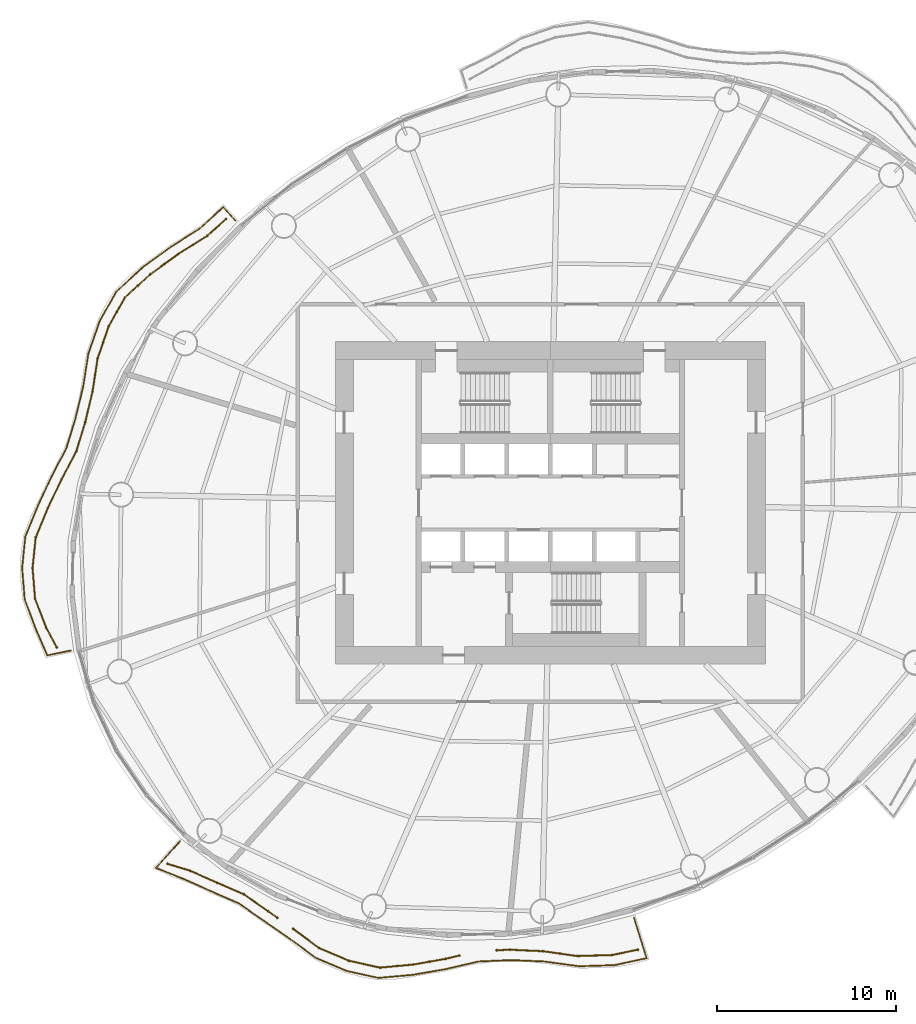
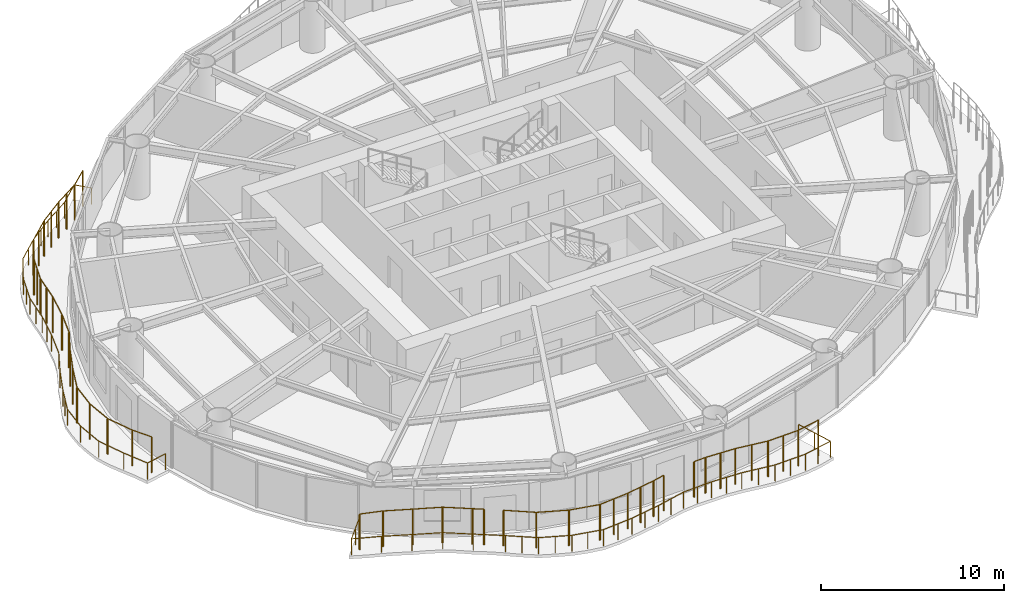
# One storey, part 12 of 15: 6 railings.
"""IFC4 building model written with IfcOpenShell, lengths in metres."""

import ifcopenshell
import ifcopenshell.guid

model = None  # the IFC model being written
_history = None  # IfcOwnerHistory: only IFC2X3 demands one
_inside = {}  # id of a spatial element -> (the spatial element, [elements in it])
_under = {}  # id of a project, library or spatial element -> (it, [spatial elements below it])
_declared = {}  # id of a project -> (the project, [libraries it declares])
_typed = {}  # id of a type object -> (the type object, [elements of that type])
_made_of = {}  # id of a material, layer set ... -> (it, [elements and type objects made of it])


def new_model(schema):
    """Start an empty IFC model of exactly this schema.

    Asked for "IFC4X3", IfcOpenShell would pick the latest addendum, in which some entities
    have other attributes; the version numbers below select the first issue.
    IFC2X3 requires an IfcOwnerHistory on every rooted entity: one is made here for all.
    """
    global model, _history
    if schema == "IFC4X3":
        model = ifcopenshell.file(schema_version=(4, 3, 0, 0))
    else:
        model = ifcopenshell.file(schema=schema)
    _inside.clear()
    _under.clear()
    _declared.clear()
    _typed.clear()
    _made_of.clear()
    _history = None
    if model.schema == "IFC2X3":
        org = make("IfcOrganization", Name="unknown")
        user = make(
            "IfcPersonAndOrganization",
            ThePerson=make("IfcPerson", FamilyName="unknown"),
            TheOrganization=org,
        )
        app = make(
            "IfcApplication",
            ApplicationDeveloper=org,
            Version="unknown",
            ApplicationFullName="unknown",
            ApplicationIdentifier="unknown",
        )
        _history = make(
            "IfcOwnerHistory",
            OwningUser=user,
            OwningApplication=app,
            ChangeAction="ADDED",
            CreationDate=0,
        )
    return model


def make(cls, **values):
    """One entity of the class cls with the attributes given. An attribute that is None is left unset."""
    return model.create_entity(
        cls, **{name: value for name, value in values.items() if value is not None}
    )


def rooted(cls, **values):
    """An entity with a GlobalId (a new one), such as an element, a storey or a relation."""
    return make(cls, GlobalId=ifcopenshell.guid.new(), OwnerHistory=_history, **values)


def si_unit(unit_type, name, prefix=None):
    """IfcSIUnit, for example si_unit("LENGTHUNIT", "METRE", prefix="MILLI")."""
    return make("IfcSIUnit", UnitType=unit_type, Prefix=prefix, Name=name)


def assignment(units):
    """IfcUnitAssignment: the units of a project."""
    return None if units is None else make("IfcUnitAssignment", Units=units)


def point(xyz):
    """IfcCartesianPoint."""
    return None if xyz is None else make("IfcCartesianPoint", Coordinates=xyz)


def direction(xyz):
    """IfcDirection."""
    return None if xyz is None else make("IfcDirection", DirectionRatios=xyz)


def frame(location, z_axis=None, x_axis=None):
    """IfcAxis2Placement3D, a coordinate frame: its origin and axes. An axis left out is left unset."""
    return make(
        "IfcAxis2Placement3D",
        Location=point(location),
        Axis=direction(z_axis),
        RefDirection=direction(x_axis),
    )


def frame_2d(location, x_axis=None):
    """IfcAxis2Placement2D, a coordinate frame in the plane: its origin and x axis."""
    return make(
        "IfcAxis2Placement2D", Location=point(location), RefDirection=direction(x_axis)
    )


def origin():
    """The frame at (0, 0, 0) with its axes left unset."""
    return frame((0.0, 0.0, 0.0))


def origin_2d():
    """The frame at (0, 0) in the plane with its x axis left unset."""
    return frame_2d((0.0, 0.0))


def place(relative_to, where):
    """IfcLocalPlacement: puts the frame where relative to a parent placement (None: the world)."""
    return make(
        "IfcLocalPlacement", PlacementRelTo=relative_to, RelativePlacement=where
    )


def context(
    kind, dimensions, precision=None, world=None, true_north=None, identifier=None
):
    """IfcGeometricRepresentationContext, for example the 3D "Model" context."""
    return make(
        "IfcGeometricRepresentationContext",
        ContextIdentifier=identifier,
        ContextType=kind,
        CoordinateSpaceDimension=dimensions,
        Precision=precision,
        WorldCoordinateSystem=world,
        TrueNorth=true_north,
    )


def subcontext(parent, identifier, kind, view, scale=None):
    """IfcGeometricRepresentationSubContext, for example "Body" below "Model"."""
    return make(
        "IfcGeometricRepresentationSubContext",
        ContextIdentifier=identifier,
        ContextType=kind,
        ParentContext=parent,
        TargetScale=scale,
        TargetView=view,
    )


def project(units=None, contexts=None):
    """IfcProject with its units and contexts."""
    return rooted(
        "IfcProject",
        Name="project",
        RepresentationContexts=contexts,
        UnitsInContext=assignment(units),
    )


def spatial(cls, under=None, at=None, **own):
    """A site, building, storey or space (cls), placed at a placement, below another one or the project."""
    s = rooted(cls, ObjectPlacement=at, **own)
    if under is not None:
        _under.setdefault(under.id(), (under, []))[1].append(s)
    return s


def profile(cls, at=None, kind="AREA", **sizes):
    """A parametric profile (cls). Its sizes go by their IFC names, for example OverallWidth=200.0."""
    return make(cls, ProfileType=kind, Position=at, **sizes)


def circle(**sizes):
    """IfcCircleProfileDef."""
    return profile("IfcCircleProfileDef", **sizes)


def extrude(swept, where, along, depth):
    """IfcExtrudedAreaSolid: the profile swept, set in the frame where, extruded along a direction by depth."""
    return make(
        "IfcExtrudedAreaSolid",
        SweptArea=swept,
        Position=where,
        ExtrudedDirection=direction(along),
        Depth=depth,
    )


def shape(context_of_items, identifier, shape_type, items):
    """IfcShapeRepresentation: the items that make up one representation, for example the "Body"."""
    return make(
        "IfcShapeRepresentation",
        ContextOfItems=context_of_items,
        RepresentationIdentifier=identifier,
        RepresentationType=shape_type,
        Items=items,
    )


def material(Name=None, Category=None):
    """IfcMaterial."""
    return make("IfcMaterial", Name=Name, Category=Category)


def made_of(thing, what):
    """Note that an element or type object is made of a material, layer set ...; save() writes the relation."""
    if what is not None:
        _made_of.setdefault(what.id(), (what, []))[1].append(thing)
    return thing


def type_object(cls, material=None, **own):
    """A type object (cls), such as IfcWallType, which elements share."""
    return made_of(rooted(cls, **own), material)


def element(
    cls,
    number,
    at=None,
    inside=None,
    cuts=None,
    type_object=None,
    material=None,
    context=None,
    identifier="Body",
    shape_type=None,
    held_by="IfcProductDefinitionShape",
    body=None,
    shapes=None,
    **own,
):
    """One element of the class cls, such as IfcWall. Its Tag is "e" and its number.

    at: its placement. inside: the storey or other place that contains it. cuts: it is an
    opening in that element (IfcRelVoidsElement). A single representation is given by context,
    identifier, shape_type and body (its items); several are given by shapes. held_by: the class
    of the entity that holds the representations. save() writes the other relations.
    """
    e = rooted(cls, Tag="e%d" % number, ObjectPlacement=at, **own)
    if body is not None:
        shapes = [shape(context, identifier, shape_type, body)]
    if shapes is not None:
        e.Representation = make(held_by, Representations=shapes)
    if inside is not None:
        _inside.setdefault(inside.id(), (inside, []))[1].append(e)
    if cuts is not None:
        rooted(
            "IfcRelVoidsElement", RelatingBuildingElement=cuts, RelatedOpeningElement=e
        )
    if type_object is not None:
        _typed.setdefault(type_object.id(), (type_object, []))[1].append(e)
    return made_of(e, material)


def aggregate(whole, parts):
    """IfcRelAggregates: a whole, such as a stair, and the parts it consists of."""
    return rooted("IfcRelAggregates", RelatingObject=whole, RelatedObjects=parts)


def save(model, path):
    """Write the relations noted so far, then the file.

    IfcRelAggregates (storeys below a building ...), IfcRelContainedInSpatialStructure (elements
    in a storey), IfcRelDefinesByType, IfcRelAssociatesMaterial and IfcRelDeclares: one each for
    every whole, place, type object, material and project.
    """
    for whole, parts in _under.values():
        aggregate(whole, parts)
    for where, things in _inside.values():
        rooted(
            "IfcRelContainedInSpatialStructure",
            RelatedElements=things,
            RelatingStructure=where,
        )
    for kind, things in _typed.values():
        rooted("IfcRelDefinesByType", RelatedObjects=things, RelatingType=kind)
    for what, things in _made_of.values():
        rooted("IfcRelAssociatesMaterial", RelatedObjects=things, RelatingMaterial=what)
    for by, libraries in _declared.values():
        rooted("IfcRelDeclares", RelatingContext=by, RelatedDefinitions=libraries)
    model.write(path)


model = new_model("IFC4")

# Units and contexts
model_context = context("Model", 3, precision=1e-05, world=origin(), true_north=direction((0.0, 1.0)))
body_context = subcontext(model_context, "Body", "Model", "MODEL_VIEW")
ifc_project = project(units=[si_unit("LENGTHUNIT", "METRE"), si_unit("AREAUNIT", "SQUARE_METRE"), si_unit("VOLUMEUNIT", "CUBIC_METRE"), si_unit("PLANEANGLEUNIT", "RADIAN"), si_unit("MASSUNIT", "GRAM", prefix="KILO")], contexts=[model_context])

# Site, building, storey
site_placement = place(None, origin())
site = spatial("IfcSite", under=ifc_project, at=site_placement, CompositionType="ELEMENT")
building_placement = place(site_placement, origin())
building = spatial("IfcBuilding", under=site, at=building_placement, Name="Vermilion Reach Broadcast Tower", CompositionType="ELEMENT")
storey_placement = place(building_placement, frame((0.0, 0.0, 154.199951171875)))
storey = spatial("IfcBuildingStorey", under=building, at=storey_placement, Name="L36", CompositionType="ELEMENT", Elevation=154.199951171875)

# Railings
ifc_material_1 = material(Name="Terracotta baguette", Category="masonry")
railing_type_1 = type_object("IfcRailingType", Name="BAGUETTE SCREEN", PredefinedType="USERDEFINED", material=ifc_material_1)
railing_1_placement = place(storey_placement, frame((-24.10595703125, 15.849365234375, 0.0)))
element("IfcRailing", 1, at=railing_1_placement, inside=storey, type_object=railing_type_1, Name="Baguette screen L36 group 2", ObjectType="BAGUETTE SCREEN", PredefinedType="USERDEFINED", context=body_context, shape_type="SweptSolid", body=[
    extrude(circle(Radius=0.030029296875, at=origin_2d()), frame((0.0, 0.0, 2.369873046875), z_axis=(-0.74429356056, -0.667852600286, 0.0), x_axis=(0.667852600286, -0.74429356056, 0.0)), (0.0, 0.0, 1.0), 1.395751953125),
    extrude(circle(Radius=0.030029296875, at=origin_2d()), frame((-1.038818359375, -0.93212890625, 2.369873046875), z_axis=(-0.84687005388, -0.531799879504, 0.0), x_axis=(0.531799879504, -0.84687005388, 0.0)), (0.0, 0.0, 1.0), 1.924072265625),
    extrude(circle(Radius=0.030029296875, at=origin_2d()), frame((-2.668212890625, -1.955322265625, 2.369873046875), z_axis=(-0.809731431405, -0.586800655243, 0.0), x_axis=(0.586800655243, -0.809731431405, 0.0)), (0.0, 0.0, 1.0), 1.91748046875),
    extrude(circle(Radius=0.030029296875, at=origin_2d()), frame((-4.220947265625, -3.08056640625, 2.369873046875), z_axis=(-0.73923849201, -0.673443725883, 0.0), x_axis=(0.673443725883, -0.73923849201, 0.0)), (0.0, 0.0, 1.0), 1.922119140625),
    extrude(circle(Radius=0.030029296875, at=origin_2d()), frame((-5.641845703125, -4.375, 2.369873046875), z_axis=(-0.489302066594, -0.872114377606, 0.0), x_axis=(0.872114377606, -0.489302066594, 0.0)), (0.0, 0.0, 1.0), 1.861572265625),
    extrude(circle(Radius=0.030029296875, at=origin_2d()), frame((-6.552734375, -5.99853515625, 2.369873046875), z_axis=(-0.326334698459, -0.945254285672, 0.0), x_axis=(0.945254285672, -0.326334698459, 0.0)), (0.0, 0.0, 1.0), 1.880859375),
    extrude(circle(Radius=0.030029296875, at=origin_2d()), frame((-7.16650390625, -7.7763671875, 2.369873046875), z_axis=(-0.151506596096, -0.988456246548, 0.0), x_axis=(0.988456246548, -0.151506596096, 0.0)), (0.0, 0.0, 1.0), 1.865966796875),
    extrude(circle(Radius=0.030029296875, at=origin_2d()), frame((-7.44921875, -9.620849609375, 2.369873046875), z_axis=(-0.231991678279, -0.972717770584, 0.0), x_axis=(0.972717770584, -0.231991678279, 0.0)), (0.0, 0.0, 1.0), 1.778564453125),
    extrude(circle(Radius=0.030029296875, at=origin_2d()), frame((-7.86181640625, -11.350830078125, 2.369873046875), z_axis=(-0.292371609919, -0.956304784947, 0.0), x_axis=(0.956304784947, -0.292371609919, 0.0)), (0.0, 0.0, 1.0), 1.701904296875),
    extrude(circle(Radius=0.030029296875, at=origin_2d()), frame((-8.359375, -12.978271484375, 2.369873046875), z_axis=(-0.468979112999, -0.883209256955, 0.0), x_axis=(0.883209256955, -0.468979112999, 0.0)), (0.0, 0.0, 1.0), 1.7568359375),
    extrude(circle(Radius=0.030029296875, at=origin_2d()), frame((-9.183349609375, -14.530029296875, 2.369873046875), z_axis=(-0.427402426809, -0.904061483284, 0.0), x_axis=(0.904061483284, -0.427402426809, 0.0)), (0.0, 0.0, 1.0), 1.749755859375),
    extrude(circle(Radius=0.030029296875, at=origin_2d()), frame((-9.93115234375, -16.11181640625, 2.369873046875), z_axis=(-0.384470681868, -0.923137202578, 0.0), x_axis=(0.923137202578, -0.384470681868, 0.0)), (0.0, 0.0, 1.0), 1.797119140625),
    extrude(circle(Radius=0.030029296875, at=origin_2d()), frame((-10.6220703125, -17.770751953125, 2.369873046875), z_axis=(-0.103166165689, -0.994664135403, 0.0), x_axis=(0.994664135403, -0.103166165689, 0.0)), (0.0, 0.0, 1.0), 1.715576171875),
    extrude(circle(Radius=0.030029296875, at=origin_2d()), frame((-10.799072265625, -19.477294921875, 2.369873046875), z_axis=(0.080640821188, -0.99674322569, 0.0), x_axis=(0.99674322569, 0.080640821188, 0.0)), (0.0, 0.0, 1.0), 1.72265625),
    extrude(circle(Radius=0.030029296875, at=origin_2d()), frame((-10.66015625, -21.1943359375, 2.369873046875), z_axis=(0.357427234789, -0.93394098948, 0.0), x_axis=(0.93394098948, 0.357427234789, 0.0)), (0.0, 0.0, 1.0), 1.7294921875),
    extrude(circle(Radius=0.030029296875, at=origin_2d()), frame((-10.0419921875, -22.8095703125, 2.369873046875), z_axis=(0.477555793427, -0.878601425087, 0.0), x_axis=(0.878601425087, 0.477555793427, 0.0)), (0.0, 0.0, 1.0), 1.254150390625),
    extrude(circle(Radius=0.050048828125, at=origin_2d()), origin(), (0.0, 0.0, 1.0), 2.33984375),
    extrude(circle(Radius=0.050048828125, at=origin_2d()), frame((-1.038818359375, -0.93212890625, 0.0)), (0.0, 0.0, 1.0), 2.33984375),
    extrude(circle(Radius=0.050048828125, at=origin_2d()), frame((-1.853515625, -1.44384765625, 0.0)), (0.0, 0.0, 1.0), 2.33984375),
    extrude(circle(Radius=0.050048828125, at=origin_2d()), frame((-2.668212890625, -1.955322265625, 0.0)), (0.0, 0.0, 1.0), 2.33984375),
    extrude(circle(Radius=0.050048828125, at=origin_2d()), frame((-3.444580078125, -2.51806640625, 0.0)), (0.0, 0.0, 1.0), 2.33984375),
    extrude(circle(Radius=0.050048828125, at=origin_2d()), frame((-4.220947265625, -3.08056640625, 0.0)), (0.0, 0.0, 1.0), 2.33984375),
    extrude(circle(Radius=0.050048828125, at=origin_2d()), frame((-4.931396484375, -3.727783203125, 0.0)), (0.0, 0.0, 1.0), 2.33984375),
    extrude(circle(Radius=0.050048828125, at=origin_2d()), frame((-5.641845703125, -4.375, 0.0)), (0.0, 0.0, 1.0), 2.33984375),
    extrude(circle(Radius=0.050048828125, at=origin_2d()), frame((-6.09716796875, -5.186767578125, 0.0)), (0.0, 0.0, 1.0), 2.33984375),
    extrude(circle(Radius=0.050048828125, at=origin_2d()), frame((-6.552734375, -5.99853515625, 0.0)), (0.0, 0.0, 1.0), 2.33984375),
    extrude(circle(Radius=0.050048828125, at=origin_2d()), frame((-6.859619140625, -6.887451171875, 0.0)), (0.0, 0.0, 1.0), 2.33984375),
    extrude(circle(Radius=0.050048828125, at=origin_2d()), frame((-7.16650390625, -7.7763671875, 0.0)), (0.0, 0.0, 1.0), 2.33984375),
    extrude(circle(Radius=0.050048828125, at=origin_2d()), frame((-7.307861328125, -8.69873046875, 0.0)), (0.0, 0.0, 1.0), 2.33984375),
    extrude(circle(Radius=0.050048828125, at=origin_2d()), frame((-7.44921875, -9.620849609375, 0.0)), (0.0, 0.0, 1.0), 2.33984375),
    extrude(circle(Radius=0.050048828125, at=origin_2d()), frame((-7.86181640625, -11.350830078125, 0.0)), (0.0, 0.0, 1.0), 2.33984375),
    extrude(circle(Radius=0.050048828125, at=origin_2d()), frame((-8.359375, -12.978271484375, 0.0)), (0.0, 0.0, 1.0), 2.33984375),
    extrude(circle(Radius=0.050048828125, at=origin_2d()), frame((-9.183349609375, -14.530029296875, 0.0)), (0.0, 0.0, 1.0), 2.33984375),
    extrude(circle(Radius=0.050048828125, at=origin_2d()), frame((-9.93115234375, -16.11181640625, 0.0)), (0.0, 0.0, 1.0), 2.33984375),
    extrude(circle(Radius=0.050048828125, at=origin_2d()), frame((-10.6220703125, -17.770751953125, 0.0)), (0.0, 0.0, 1.0), 2.33984375),
    extrude(circle(Radius=0.050048828125, at=origin_2d()), frame((-10.799072265625, -19.477294921875, 0.0)), (0.0, 0.0, 1.0), 2.33984375),
    extrude(circle(Radius=0.050048828125, at=origin_2d()), frame((-10.66015625, -21.1943359375, 0.0)), (0.0, 0.0, 1.0), 2.33984375),
    extrude(circle(Radius=0.050048828125, at=origin_2d()), frame((-10.0419921875, -22.8095703125, 0.0)), (0.0, 0.0, 1.0), 2.33984375),
    extrude(circle(Radius=0.050048828125, at=origin_2d()), frame((-9.443115234375, -23.911376953125, 0.0)), (0.0, 0.0, 1.0), 2.33984375),
])
railing_2_placement = place(storey_placement, frame((-27.36669921875, -20.14404296875, 0.0)))
element("IfcRailing", 2, at=railing_2_placement, inside=storey, type_object=railing_type_1, Name="Baguette screen L36 group 3 part 1", ObjectType="BAGUETTE SCREEN", PredefinedType="USERDEFINED", context=body_context, shape_type="SweptSolid", body=[
    extrude(circle(Radius=0.030029296875, at=origin_2d()), frame((0.0, 0.0, 2.369873046875), z_axis=(0.956355930355, -0.292204268406, 0.0), x_axis=(0.292204268406, 0.956355930355, 0.0)), (0.0, 0.0, 1.0), 1.30419921875),
    extrude(circle(Radius=0.030029296875, at=origin_2d()), frame((1.247314453125, -0.381103515625, 2.369873046875), z_axis=(0.914402615664, -0.404805949149, 0.0), x_axis=(0.404805949149, 0.914402615664, 0.0)), (0.0, 0.0, 1.0), 1.6494140625),
    extrude(circle(Radius=0.030029296875, at=origin_2d()), frame((2.755615234375, -1.048828125, 2.369873046875), z_axis=(0.91673645574, -0.399492516473, 0.0), x_axis=(0.399492516473, 0.91673645574, 0.0)), (0.0, 0.0, 1.0), 1.64208984375),
    extrude(circle(Radius=0.030029296875, at=origin_2d()), frame((4.260986328125, -1.704833984375, 2.369873046875), z_axis=(0.820467999085, -0.571692454452, 0.0), x_axis=(0.571692454452, 0.820467999085, 0.0)), (0.0, 0.0, 1.0), 1.639892578125),
    extrude(circle(Radius=0.030029296875, at=origin_2d()), frame((5.6064453125, -2.642333984375, 2.369873046875), z_axis=(0.818569260864, -0.574407838708, 0.0), x_axis=(0.574407838708, 0.818569260864, 0.0)), (0.0, 0.0, 1.0), 0.640869140625),
    extrude(circle(Radius=0.050048828125, at=origin_2d()), origin(), (0.0, 0.0, 1.0), 2.33984375),
    extrude(circle(Radius=0.050048828125, at=origin_2d()), frame((1.247314453125, -0.381103515625, 0.0)), (0.0, 0.0, 1.0), 2.33984375),
    extrude(circle(Radius=0.050048828125, at=origin_2d()), frame((2.755615234375, -1.048828125, 0.0)), (0.0, 0.0, 1.0), 2.33984375),
    extrude(circle(Radius=0.050048828125, at=origin_2d()), frame((4.260986328125, -1.704833984375, 0.0)), (0.0, 0.0, 1.0), 2.33984375),
    extrude(circle(Radius=0.050048828125, at=origin_2d()), frame((5.6064453125, -2.642333984375, 0.0)), (0.0, 0.0, 1.0), 2.33984375),
    extrude(circle(Radius=0.050048828125, at=origin_2d()), frame((6.131103515625, -3.010498046875, 0.0)), (0.0, 0.0, 1.0), 2.33984375),
])
railing_3_placement = place(storey_placement, frame((-20.3623046875, -23.767578125, 0.0)))
element("IfcRailing", 3, at=railing_3_placement, inside=storey, type_object=railing_type_1, Name="Baguette screen L36 group 3 part 2", ObjectType="BAGUETTE SCREEN", PredefinedType="USERDEFINED", context=body_context, shape_type="SweptSolid", body=[
    extrude(circle(Radius=0.030029296875, at=origin_2d()), frame((0.0, 0.0, 2.369873046875), z_axis=(0.821588113591, -0.570081548206, 0.0), x_axis=(0.570081548206, 0.821588113591, 0.0)), (0.0, 0.0, 1.0), 0.0146484375),
    extrude(circle(Radius=0.030029296875, at=origin_2d()), frame((0.011962890625, -0.00830078125, 2.369873046875), z_axis=(0.803771636703, -0.59493794301, 0.0), x_axis=(0.59493794301, 0.803771636703, 0.0)), (0.0, 0.0, 1.0), 1.79443359375),
    extrude(circle(Radius=0.030029296875, at=origin_2d()), frame((1.454345703125, -1.075927734375, 2.369873046875), z_axis=(0.919299387982, -0.39355893492, 0.0), x_axis=(0.39355893492, 0.919299387982, 0.0)), (0.0, 0.0, 1.0), 1.799072265625),
    extrude(circle(Radius=0.030029296875, at=origin_2d()), frame((3.108154296875, -1.783935546875, 2.369873046875), z_axis=(0.976193495523, -0.216901496764, 0.0), x_axis=(0.216901496764, 0.976193495523, 0.0)), (0.0, 0.0, 1.0), 1.78515625),
    extrude(circle(Radius=0.030029296875, at=origin_2d()), frame((4.850830078125, -2.171142578125, 2.369873046875), z_axis=(0.995787312258, 0.091693122676, 0.0), x_axis=(-0.091693122676, 0.995787312258, 0.0)), (0.0, 0.0, 1.0), 1.86376953125),
    extrude(circle(Radius=0.030029296875, at=origin_2d()), frame((6.706787109375, -2.000244140625, 2.369873046875), z_axis=(0.984600074333, 0.174821891145, 0.0), x_axis=(-0.174821891145, 0.984600074333, 0.0)), (0.0, 0.0, 1.0), 1.840576171875),
    extrude(circle(Radius=0.030029296875, at=origin_2d()), frame((8.51904296875, -1.678466796875, 2.369873046875), z_axis=(0.972900390077, 0.231224633179, 0.0), x_axis=(-0.231224633179, 0.972900390077, 0.0)), (0.0, 0.0, 1.0), 0.778076171875),
    extrude(circle(Radius=0.050048828125, at=origin_2d()), origin(), (0.0, 0.0, 1.0), 2.33984375),
    extrude(circle(Radius=0.050048828125, at=origin_2d()), frame((0.011962890625, -0.00830078125, 0.0)), (0.0, 0.0, 1.0), 2.33984375),
    extrude(circle(Radius=0.050048828125, at=origin_2d()), frame((1.454345703125, -1.075927734375, 0.0)), (0.0, 0.0, 1.0), 2.33984375),
    extrude(circle(Radius=0.050048828125, at=origin_2d()), frame((3.108154296875, -1.783935546875, 0.0)), (0.0, 0.0, 1.0), 2.33984375),
    extrude(circle(Radius=0.050048828125, at=origin_2d()), frame((4.850830078125, -2.171142578125, 0.0)), (0.0, 0.0, 1.0), 2.33984375),
    extrude(circle(Radius=0.050048828125, at=origin_2d()), frame((5.77880859375, -2.085693359375, 0.0)), (0.0, 0.0, 1.0), 2.33984375),
    extrude(circle(Radius=0.050048828125, at=origin_2d()), frame((6.706787109375, -2.000244140625, 0.0)), (0.0, 0.0, 1.0), 2.33984375),
    extrude(circle(Radius=0.050048828125, at=origin_2d()), frame((7.61279296875, -1.83935546875, 0.0)), (0.0, 0.0, 1.0), 2.33984375),
    extrude(circle(Radius=0.050048828125, at=origin_2d()), frame((8.51904296875, -1.678466796875, 0.0)), (0.0, 0.0, 1.0), 2.33984375),
    extrude(circle(Radius=0.050048828125, at=origin_2d()), frame((9.276123046875, -1.49853515625, 0.0)), (0.0, 0.0, 1.0), 2.33984375),
])
railing_4_placement = place(storey_placement, frame((-8.991455078125, -24.97021484375, 0.0)))
element("IfcRailing", 4, at=railing_4_placement, inside=storey, type_object=railing_type_1, Name="Baguette screen L36 group 3 part 3", ObjectType="BAGUETTE SCREEN", PredefinedType="USERDEFINED", context=body_context, shape_type="SweptSolid", body=[
    extrude(circle(Radius=0.030029296875, at=origin_2d()), frame((0.0, 0.0, 2.369873046875), z_axis=(0.998983629938, 0.045074461912, 0.0), x_axis=(-0.045074461912, 0.998983629938, 0.0)), (0.0, 0.0, 1.0), 0.731201171875),
    extrude(circle(Radius=0.030029296875, at=origin_2d()), frame((0.73046875, 0.032958984375, 2.369873046875), z_axis=(0.998995613325, -0.044808085858, 0.0), x_axis=(0.044808085858, 0.998995613325, 0.0)), (0.0, 0.0, 1.0), 1.84716796875),
    extrude(circle(Radius=0.030029296875, at=origin_2d()), frame((2.57568359375, -0.0498046875, 2.369873046875), z_axis=(0.990100126676, -0.140362883828, 0.0), x_axis=(0.140362883828, 0.990100126676, 0.0)), (0.0, 0.0, 1.0), 1.937744140625),
    extrude(circle(Radius=0.030029296875, at=origin_2d()), frame((4.494140625, -0.32177734375, 2.369873046875), z_axis=(0.999591675665, 0.02857414814, 0.0), x_axis=(-0.02857414814, 0.999591675665, 0.0)), (0.0, 0.0, 1.0), 1.939453125),
    extrude(circle(Radius=0.030029296875, at=origin_2d()), frame((6.432861328125, -0.266357421875, 2.369873046875), z_axis=(0.978809997674, 0.204770575163, 0.0), x_axis=(-0.204770575163, 0.978809997674, 0.0)), (0.0, 0.0, 1.0), 1.46875),
    extrude(circle(Radius=0.050048828125, at=origin_2d()), origin(), (0.0, 0.0, 1.0), 2.33984375),
    extrude(circle(Radius=0.050048828125, at=origin_2d()), frame((0.73046875, 0.032958984375, 0.0)), (0.0, 0.0, 1.0), 2.33984375),
    extrude(circle(Radius=0.050048828125, at=origin_2d()), frame((1.653076171875, -0.00830078125, 0.0)), (0.0, 0.0, 1.0), 2.33984375),
    extrude(circle(Radius=0.050048828125, at=origin_2d()), frame((2.57568359375, -0.0498046875, 0.0)), (0.0, 0.0, 1.0), 2.33984375),
    extrude(circle(Radius=0.050048828125, at=origin_2d()), frame((3.534912109375, -0.185791015625, 0.0)), (0.0, 0.0, 1.0), 2.33984375),
    extrude(circle(Radius=0.050048828125, at=origin_2d()), frame((4.494140625, -0.32177734375, 0.0)), (0.0, 0.0, 1.0), 2.33984375),
    extrude(circle(Radius=0.050048828125, at=origin_2d()), frame((5.46337890625, -0.2939453125, 0.0)), (0.0, 0.0, 1.0), 2.33984375),
    extrude(circle(Radius=0.050048828125, at=origin_2d()), frame((6.432861328125, -0.266357421875, 0.0)), (0.0, 0.0, 1.0), 2.33984375),
    extrude(circle(Radius=0.050048828125, at=origin_2d()), frame((7.87060546875, 0.034423828125, 0.0)), (0.0, 0.0, 1.0), 2.33984375),
])
ifc_material_2 = material(Name="Stainless steel 316 balustrade", Category="steel")
railing_type_2 = type_object("IfcRailingType", Name="Balcony guard 1100", PredefinedType="BALUSTRADE", material=ifc_material_2)
railing_5_placement = place(storey_placement, frame((-23.5908203125, 15.771240234375, 0.0)))
element("IfcRailing", 5, at=railing_5_placement, inside=storey, type_object=railing_type_2, Name="Balcony guard L36 group 2", PredefinedType="BALUSTRADE", context=body_context, shape_type="SweptSolid", body=[
    extrude(circle(Radius=0.02490234375, at=origin_2d()), frame((0.0, 0.0, 1.0751953125), z_axis=(-0.671143011647, 0.741327901753, 0.0), x_axis=(-0.741327901753, -0.671143011647, 0.0)), (0.0, 0.0, 1.0), 1.001708984375),
    extrude(circle(Radius=0.02490234375, at=origin_2d()), frame((-0.67236328125, 0.74267578125, 1.0751953125), z_axis=(-0.736415449668, -0.676529589516, 0.0), x_axis=(0.676529589516, -0.736415449668, 0.0)), (0.0, 0.0, 1.0), 1.757080078125),
    extrude(circle(Radius=0.02490234375, at=origin_2d()), frame((-1.96630859375, -0.446044921875, 1.0751953125), z_axis=(-0.844657271595, -0.535307475702, 0.0), x_axis=(0.535307475702, -0.844657271595, 0.0)), (0.0, 0.0, 1.0), 1.95556640625),
    extrude(circle(Radius=0.02490234375, at=origin_2d()), frame((-3.6181640625, -1.492919921875, 1.0751953125), z_axis=(-0.807260292588, -0.590195577762, 0.0), x_axis=(0.590195577762, -0.807260292588, 0.0)), (0.0, 0.0, 1.0), 1.94921875),
    extrude(circle(Radius=0.02490234375, at=origin_2d()), frame((-5.191650390625, -2.643310546875, 1.0751953125), z_axis=(-0.736915684994, -0.67598466936, 0.0), x_axis=(0.67598466936, -0.736915684994, 0.0)), (0.0, 0.0, 1.0), 1.955322265625),
    extrude(circle(Radius=0.02490234375, at=origin_2d()), frame((-6.632568359375, -3.965087890625, 1.0751953125), z_axis=(-0.490469139689, -0.871458560697, 0.0), x_axis=(0.871458560697, -0.490469139689, 0.0)), (0.0, 0.0, 1.0), 1.8955078125),
    extrude(circle(Radius=0.02490234375, at=origin_2d()), frame((-7.562255859375, -5.616943359375, 1.0751953125), z_axis=(-0.32957825148, -0.944128262553, 0.0), x_axis=(0.944128262553, -0.32957825148, 0.0)), (0.0, 0.0, 1.0), 1.91552734375),
    extrude(circle(Radius=0.02490234375, at=origin_2d()), frame((-8.193603515625, -7.425537109375, 1.0751953125), z_axis=(-0.157038137011, -0.987592539221, 0.0), x_axis=(0.987592539221, -0.157038137011, 0.0)), (0.0, 0.0, 1.0), 1.89990234375),
    extrude(circle(Radius=0.02490234375, at=origin_2d()), frame((-8.491943359375, -9.3017578125, 1.0751953125), z_axis=(-0.235218939664, -0.971942411063, 0.0), x_axis=(0.971942411063, -0.235218939664, 0.0)), (0.0, 0.0, 1.0), 1.8154296875),
    extrude(circle(Radius=0.02490234375, at=origin_2d()), frame((-8.9189453125, -11.066162109375, 1.0751953125), z_axis=(-0.293138627193, -0.956069947884, 0.0), x_axis=(0.956069947884, -0.293138627193, 0.0)), (0.0, 0.0, 1.0), 1.739013671875),
    extrude(circle(Radius=0.02490234375, at=origin_2d()), frame((-9.4287109375, -12.728759765625, 1.0751953125), z_axis=(-0.464591325775, -0.885525211394, 0.0), x_axis=(0.885525211394, -0.464591325775, 0.0)), (0.0, 0.0, 1.0), 1.795166015625),
    extrude(circle(Radius=0.02490234375, at=origin_2d()), frame((-10.2626953125, -14.318359375, 1.0751953125), z_axis=(-0.422743433365, -0.906249408025, 0.0), x_axis=(0.906249408025, -0.422743433365, 0.0)), (0.0, 0.0, 1.0), 1.7880859375),
    extrude(circle(Radius=0.02490234375, at=origin_2d()), frame((-11.0185546875, -15.938720703125, 1.0751953125), z_axis=(-0.37907789582, -0.925364765323, 0.0), x_axis=(0.925364765323, -0.37907789582, 0.0)), (0.0, 0.0, 1.0), 1.8369140625),
    extrude(circle(Radius=0.02490234375, at=origin_2d()), frame((-11.71484375, -17.638427734375, 1.0751953125), z_axis=(-0.101993606626, -0.994785054274, 0.0), x_axis=(0.994785054274, -0.101993606626, 0.0)), (0.0, 0.0, 1.0), 1.757080078125),
    extrude(circle(Radius=0.02490234375, at=origin_2d()), frame((-11.89404296875, -19.38623046875, 1.0751953125), z_axis=(0.079085768428, -0.996867815326, 0.0), x_axis=(0.996867815326, 0.079085768428, 0.0)), (0.0, 0.0, 1.0), 1.765869140625),
    extrude(circle(Radius=0.02490234375, at=origin_2d()), frame((-11.75439453125, -21.146484375, 1.0751953125), z_axis=(0.351244294316, -0.9362838489, 0.0), x_axis=(0.9362838489, 0.351244294316, 0.0)), (0.0, 0.0, 1.0), 1.77099609375),
    extrude(circle(Radius=0.02490234375, at=origin_2d()), frame((-11.13232421875, -22.8046875, 1.0751953125), z_axis=(0.402433585192, -0.915449184559, 0.0), x_axis=(0.915449184559, 0.402433585192, 0.0)), (0.0, 0.0, 1.0), 1.609375),
    extrude(circle(Radius=0.02490234375, at=origin_2d()), frame((-10.484619140625, -24.278076171875, 1.0751953125), z_axis=(0.979249206434, 0.202659793001, 0.0), x_axis=(-0.202659793001, 0.979249206434, 0.0)), (0.0, 0.0, 1.0), 1.3408203125),
    extrude(circle(Radius=0.02490234375, at=origin_2d()), origin(), (0.0, 0.0, 1.0), 1.050048828125),
    extrude(circle(Radius=0.02490234375, at=origin_2d()), frame((-0.67236328125, 0.74267578125, 0.0)), (0.0, 0.0, 1.0), 1.050048828125),
    extrude(circle(Radius=0.02490234375, at=origin_2d()), frame((-1.96630859375, -0.446044921875, 0.0)), (0.0, 0.0, 1.0), 1.050048828125),
    extrude(circle(Radius=0.02490234375, at=origin_2d()), frame((-2.792236328125, -0.969482421875, 0.0)), (0.0, 0.0, 1.0), 1.050048828125),
    extrude(circle(Radius=0.02490234375, at=origin_2d()), frame((-3.6181640625, -1.492919921875, 0.0)), (0.0, 0.0, 1.0), 1.050048828125),
    extrude(circle(Radius=0.02490234375, at=origin_2d()), frame((-4.40478515625, -2.068115234375, 0.0)), (0.0, 0.0, 1.0), 1.050048828125),
    extrude(circle(Radius=0.02490234375, at=origin_2d()), frame((-5.191650390625, -2.643310546875, 0.0)), (0.0, 0.0, 1.0), 1.050048828125),
    extrude(circle(Radius=0.02490234375, at=origin_2d()), frame((-5.912109375, -3.30419921875, 0.0)), (0.0, 0.0, 1.0), 1.050048828125),
    extrude(circle(Radius=0.02490234375, at=origin_2d()), frame((-6.632568359375, -3.965087890625, 0.0)), (0.0, 0.0, 1.0), 1.050048828125),
    extrude(circle(Radius=0.02490234375, at=origin_2d()), frame((-7.097412109375, -4.791015625, 0.0)), (0.0, 0.0, 1.0), 1.050048828125),
    extrude(circle(Radius=0.02490234375, at=origin_2d()), frame((-7.562255859375, -5.616943359375, 0.0)), (0.0, 0.0, 1.0), 1.050048828125),
    extrude(circle(Radius=0.02490234375, at=origin_2d()), frame((-7.8779296875, -6.521240234375, 0.0)), (0.0, 0.0, 1.0), 1.050048828125),
    extrude(circle(Radius=0.02490234375, at=origin_2d()), frame((-8.193603515625, -7.425537109375, 0.0)), (0.0, 0.0, 1.0), 1.050048828125),
    extrude(circle(Radius=0.02490234375, at=origin_2d()), frame((-8.3427734375, -8.36376953125, 0.0)), (0.0, 0.0, 1.0), 1.050048828125),
    extrude(circle(Radius=0.02490234375, at=origin_2d()), frame((-8.491943359375, -9.3017578125, 0.0)), (0.0, 0.0, 1.0), 1.050048828125),
    extrude(circle(Radius=0.02490234375, at=origin_2d()), frame((-8.70556640625, -10.18408203125, 0.0)), (0.0, 0.0, 1.0), 1.050048828125),
    extrude(circle(Radius=0.02490234375, at=origin_2d()), frame((-8.9189453125, -11.066162109375, 0.0)), (0.0, 0.0, 1.0), 1.050048828125),
    extrude(circle(Radius=0.02490234375, at=origin_2d()), frame((-9.4287109375, -12.728759765625, 0.0)), (0.0, 0.0, 1.0), 1.050048828125),
    extrude(circle(Radius=0.02490234375, at=origin_2d()), frame((-10.2626953125, -14.318359375, 0.0)), (0.0, 0.0, 1.0), 1.050048828125),
    extrude(circle(Radius=0.02490234375, at=origin_2d()), frame((-11.0185546875, -15.938720703125, 0.0)), (0.0, 0.0, 1.0), 1.050048828125),
    extrude(circle(Radius=0.02490234375, at=origin_2d()), frame((-11.36669921875, -16.78857421875, 0.0)), (0.0, 0.0, 1.0), 1.050048828125),
    extrude(circle(Radius=0.02490234375, at=origin_2d()), frame((-11.71484375, -17.638427734375, 0.0)), (0.0, 0.0, 1.0), 1.050048828125),
    extrude(circle(Radius=0.02490234375, at=origin_2d()), frame((-11.89404296875, -19.38623046875, 0.0)), (0.0, 0.0, 1.0), 1.050048828125),
    extrude(circle(Radius=0.02490234375, at=origin_2d()), frame((-11.75439453125, -21.146484375, 0.0)), (0.0, 0.0, 1.0), 1.050048828125),
    extrude(circle(Radius=0.02490234375, at=origin_2d()), frame((-11.13232421875, -22.8046875, 0.0)), (0.0, 0.0, 1.0), 1.050048828125),
    extrude(circle(Radius=0.02490234375, at=origin_2d()), frame((-10.484619140625, -24.278076171875, 0.0)), (0.0, 0.0, 1.0), 1.050048828125),
    extrude(circle(Radius=0.02490234375, at=origin_2d()), frame((-9.171630859375, -24.00634765625, 0.0)), (0.0, 0.0, 1.0), 1.050048828125),
])
railing_6_placement = place(storey_placement, frame((-26.672119140625, -18.88671875, 0.0)))
element("IfcRailing", 6, at=railing_6_placement, inside=storey, type_object=railing_type_2, Name="Balcony guard L36 group 3", PredefinedType="BALUSTRADE", context=body_context, shape_type="SweptSolid", body=[
    extrude(circle(Radius=0.02490234375, at=origin_2d()), frame((0.0, 0.0, 1.0751953125), z_axis=(-0.67127059114, -0.741212380814, 0.0), x_axis=(0.741212380814, -0.67127059114, 0.0)), (0.0, 0.0, 1.0), 2.003662109375),
    extrude(circle(Radius=0.02490234375, at=origin_2d()), frame((-1.344970703125, -1.485107421875, 1.0751953125), z_axis=(0.929517925457, -0.36877693292, 0.0), x_axis=(0.36877693292, 0.929517925457, 0.0)), (0.0, 0.0, 1.0), 1.65966796875),
    extrude(circle(Radius=0.02490234375, at=origin_2d()), frame((0.19775390625, -2.09716796875, 1.0751953125), z_axis=(0.912323456369, -0.409470280924, 0.0), x_axis=(0.409470280924, 0.912323456369, 0.0)), (0.0, 0.0, 1.0), 1.69140625),
    extrude(circle(Radius=0.02490234375, at=origin_2d()), frame((1.740966796875, -2.789794921875, 1.0751953125), z_axis=(0.915310759962, -0.402748324263, 0.0), x_axis=(0.402748324263, 0.915310759962, 0.0)), (0.0, 0.0, 1.0), 1.685302734375),
    extrude(circle(Radius=0.02490234375, at=origin_2d()), frame((3.283447265625, -3.468505859375, 1.0751953125), z_axis=(0.822385612473, -0.568930491709, 0.0), x_axis=(0.568930491709, 0.822385612473, 0.0)), (0.0, 0.0, 1.0), 1.680908203125),
    extrude(circle(Radius=0.02490234375, at=origin_2d()), frame((4.665771484375, -4.4248046875, 1.0751953125), z_axis=(0.821243783721, -0.570577468622, 0.0), x_axis=(0.570577468622, 0.821243783721, 0.0)), (0.0, 0.0, 1.0), 1.762939453125),
    extrude(circle(Radius=0.02490234375, at=origin_2d()), frame((6.113525390625, -5.4306640625, 1.0751953125), z_axis=(0.807564471567, -0.589779301318, 0.0), x_axis=(0.589779301318, 0.807564471567, 0.0)), (0.0, 0.0, 1.0), 1.831787109375),
    extrude(circle(Radius=0.02490234375, at=origin_2d()), frame((7.5927734375, -6.510986328125, 1.0751953125), z_axis=(0.920465956482, -0.390822751331, 0.0), x_axis=(0.390822751331, 0.920465956482, 0.0)), (0.0, 0.0, 1.0), 1.837890625),
    extrude(circle(Radius=0.02490234375, at=origin_2d()), frame((9.284423828125, -7.229248046875, 1.0751953125), z_axis=(0.976287817359, -0.216476552257, 0.0), x_axis=(0.216476552257, 0.976287817359, 0.0)), (0.0, 0.0, 1.0), 1.822509765625),
    extrude(circle(Radius=0.02490234375, at=origin_2d()), frame((11.063720703125, -7.623779296875, 1.0751953125), z_axis=(0.996186880469, 0.087245052475, 0.0), x_axis=(-0.087245052475, 0.996186880469, 0.0)), (0.0, 0.0, 1.0), 1.900146484375),
    extrude(circle(Radius=0.02490234375, at=origin_2d()), frame((12.95654296875, -7.4580078125, 1.0751953125), z_axis=(0.985387094833, 0.170329895605, 0.0), x_axis=(-0.170329895605, 0.985387094833, 0.0)), (0.0, 0.0, 1.0), 1.874755859375),
    extrude(circle(Radius=0.02490234375, at=origin_2d()), frame((14.803955078125, -7.138671875, 1.0751953125), z_axis=(0.973970839645, 0.226673341001, 0.0), x_axis=(-0.226673341001, 0.973970839645, 0.0)), (0.0, 0.0, 1.0), 1.886962890625),
    extrude(circle(Radius=0.02490234375, at=origin_2d()), frame((16.641845703125, -6.7109375, 1.0751953125), z_axis=(0.99897297095, 0.045310079571, 0.0), x_axis=(-0.045310079571, 0.99897297095, 0.0)), (0.0, 0.0, 1.0), 1.81591796875),
    extrude(circle(Radius=0.02490234375, at=origin_2d()), frame((18.455810546875, -6.628662109375, 1.0751953125), z_axis=(0.99910928467, -0.042197598118, 0.0), x_axis=(0.042197598118, 0.99910928467, 0.0)), (0.0, 0.0, 1.0), 1.88037109375),
    extrude(circle(Radius=0.02490234375, at=origin_2d()), frame((20.33447265625, -6.7080078125, 1.0751953125), z_axis=(0.990775008617, -0.135517092281, 0.0), x_axis=(0.135517092281, 0.990775008617, 0.0)), (0.0, 0.0, 1.0), 1.968994140625),
    extrude(circle(Radius=0.02490234375, at=origin_2d()), frame((22.285400390625, -6.974853515625, 1.0751953125), z_axis=(0.999493541437, 0.031822329057, 0.0), x_axis=(-0.031822329057, 0.999493541437, 0.0)), (0.0, 0.0, 1.0), 1.9716796875),
    extrude(circle(Radius=0.02490234375, at=origin_2d()), frame((24.256103515625, -6.912109375, 1.0751953125), z_axis=(0.976986960335, 0.213299037353, 0.0), x_axis=(-0.213299037353, 0.976986960335, 0.0)), (0.0, 0.0, 1.0), 1.830322265625),
    extrude(circle(Radius=0.02490234375, at=origin_2d()), frame((26.044189453125, -6.521728515625, 1.0751953125), z_axis=(-0.298422489816, 0.954433872812, 0.0), x_axis=(-0.954433872812, -0.298422489816, 0.0)), (0.0, 0.0, 1.0), 2.356201171875),
    extrude(circle(Radius=0.02490234375, at=origin_2d()), origin(), (0.0, 0.0, 1.0), 1.050048828125),
    extrude(circle(Radius=0.02490234375, at=origin_2d()), frame((-0.67236328125, -0.74267578125, 0.0)), (0.0, 0.0, 1.0), 1.050048828125),
    extrude(circle(Radius=0.02490234375, at=origin_2d()), frame((-1.344970703125, -1.485107421875, 0.0)), (0.0, 0.0, 1.0), 1.050048828125),
    extrude(circle(Radius=0.02490234375, at=origin_2d()), frame((0.19775390625, -2.09716796875, 0.0)), (0.0, 0.0, 1.0), 1.050048828125),
    extrude(circle(Radius=0.02490234375, at=origin_2d()), frame((1.740966796875, -2.789794921875, 0.0)), (0.0, 0.0, 1.0), 1.050048828125),
    extrude(circle(Radius=0.02490234375, at=origin_2d()), frame((3.283447265625, -3.468505859375, 0.0)), (0.0, 0.0, 1.0), 1.050048828125),
    extrude(circle(Radius=0.02490234375, at=origin_2d()), frame((4.665771484375, -4.4248046875, 0.0)), (0.0, 0.0, 1.0), 1.050048828125),
    extrude(circle(Radius=0.02490234375, at=origin_2d()), frame((6.113525390625, -5.4306640625, 0.0)), (0.0, 0.0, 1.0), 1.050048828125),
    extrude(circle(Radius=0.02490234375, at=origin_2d()), frame((6.85302734375, -5.970703125, 0.0)), (0.0, 0.0, 1.0), 1.050048828125),
    extrude(circle(Radius=0.02490234375, at=origin_2d()), frame((7.5927734375, -6.510986328125, 0.0)), (0.0, 0.0, 1.0), 1.050048828125),
    extrude(circle(Radius=0.02490234375, at=origin_2d()), frame((8.4384765625, -6.8701171875, 0.0)), (0.0, 0.0, 1.0), 1.050048828125),
    extrude(circle(Radius=0.02490234375, at=origin_2d()), frame((9.284423828125, -7.229248046875, 0.0)), (0.0, 0.0, 1.0), 1.050048828125),
    extrude(circle(Radius=0.02490234375, at=origin_2d()), frame((10.174072265625, -7.426513671875, 0.0)), (0.0, 0.0, 1.0), 1.050048828125),
    extrude(circle(Radius=0.02490234375, at=origin_2d()), frame((11.063720703125, -7.623779296875, 0.0)), (0.0, 0.0, 1.0), 1.050048828125),
    extrude(circle(Radius=0.02490234375, at=origin_2d()), frame((12.01025390625, -7.541015625, 0.0)), (0.0, 0.0, 1.0), 1.050048828125),
    extrude(circle(Radius=0.02490234375, at=origin_2d()), frame((12.95654296875, -7.4580078125, 0.0)), (0.0, 0.0, 1.0), 1.050048828125),
    extrude(circle(Radius=0.02490234375, at=origin_2d()), frame((13.88037109375, -7.29833984375, 0.0)), (0.0, 0.0, 1.0), 1.050048828125),
    extrude(circle(Radius=0.02490234375, at=origin_2d()), frame((14.803955078125, -7.138671875, 0.0)), (0.0, 0.0, 1.0), 1.050048828125),
    extrude(circle(Radius=0.02490234375, at=origin_2d()), frame((15.722900390625, -6.9248046875, 0.0)), (0.0, 0.0, 1.0), 1.050048828125),
    extrude(circle(Radius=0.02490234375, at=origin_2d()), frame((16.641845703125, -6.7109375, 0.0)), (0.0, 0.0, 1.0), 1.050048828125),
    extrude(circle(Radius=0.02490234375, at=origin_2d()), frame((17.548828125, -6.669921875, 0.0)), (0.0, 0.0, 1.0), 1.050048828125),
    extrude(circle(Radius=0.02490234375, at=origin_2d()), frame((18.455810546875, -6.628662109375, 0.0)), (0.0, 0.0, 1.0), 1.050048828125),
    extrude(circle(Radius=0.02490234375, at=origin_2d()), frame((19.39501953125, -6.66845703125, 0.0)), (0.0, 0.0, 1.0), 1.050048828125),
    extrude(circle(Radius=0.02490234375, at=origin_2d()), frame((20.33447265625, -6.7080078125, 0.0)), (0.0, 0.0, 1.0), 1.050048828125),
    extrude(circle(Radius=0.02490234375, at=origin_2d()), frame((21.31005859375, -6.84130859375, 0.0)), (0.0, 0.0, 1.0), 1.050048828125),
    extrude(circle(Radius=0.02490234375, at=origin_2d()), frame((22.285400390625, -6.974853515625, 0.0)), (0.0, 0.0, 1.0), 1.050048828125),
    extrude(circle(Radius=0.02490234375, at=origin_2d()), frame((23.270751953125, -6.943359375, 0.0)), (0.0, 0.0, 1.0), 1.050048828125),
    extrude(circle(Radius=0.02490234375, at=origin_2d()), frame((24.256103515625, -6.912109375, 0.0)), (0.0, 0.0, 1.0), 1.050048828125),
    extrude(circle(Radius=0.02490234375, at=origin_2d()), frame((25.150146484375, -6.716796875, 0.0)), (0.0, 0.0, 1.0), 1.050048828125),
    extrude(circle(Radius=0.02490234375, at=origin_2d()), frame((26.044189453125, -6.521728515625, 0.0)), (0.0, 0.0, 1.0), 1.050048828125),
    extrude(circle(Radius=0.02490234375, at=origin_2d()), frame((25.692626953125, -5.3974609375, 0.0)), (0.0, 0.0, 1.0), 1.050048828125),
    extrude(circle(Radius=0.02490234375, at=origin_2d()), frame((25.341064453125, -4.27294921875, 0.0)), (0.0, 0.0, 1.0), 1.050048828125),
])

save(model, "model.ifc")
